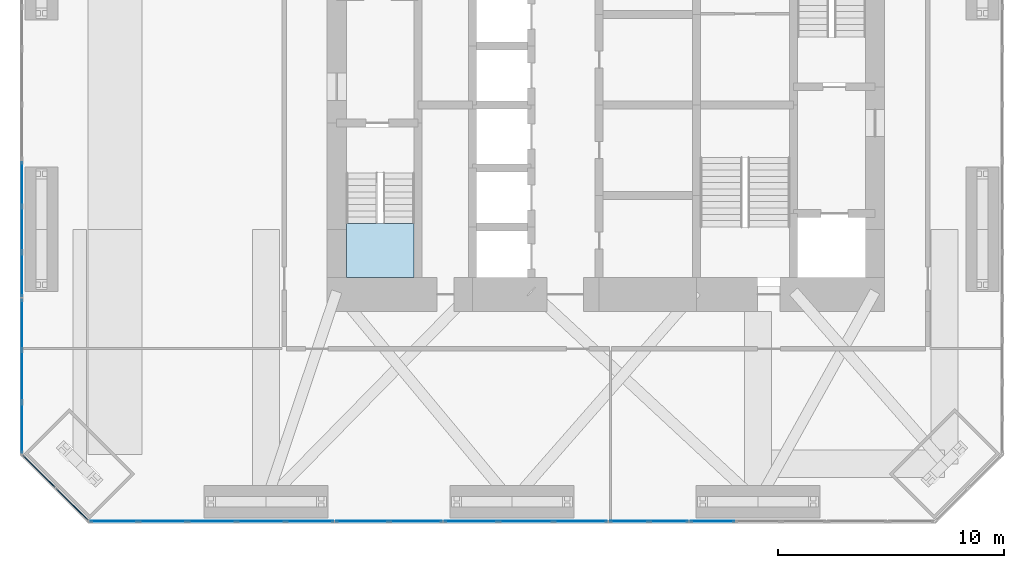
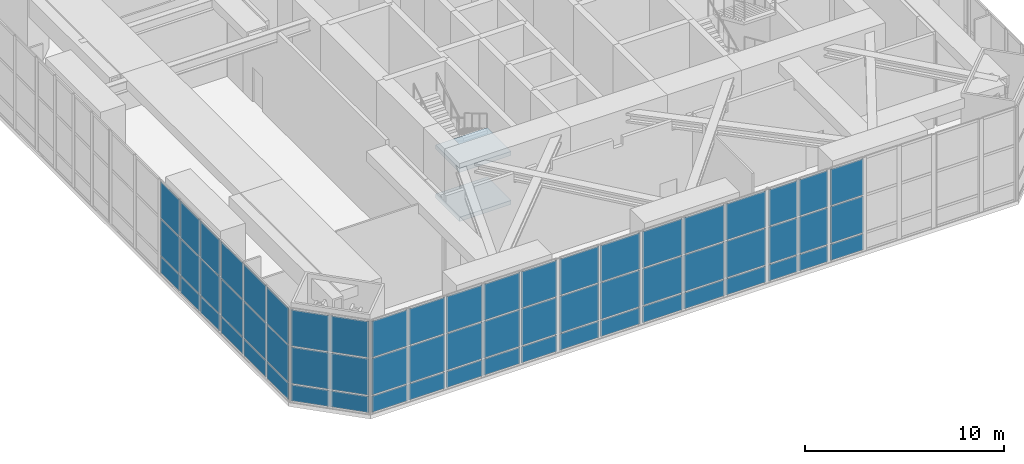
# One storey, part 10 of 18: 63 plates, 2 slabs, 9 elements without a shape of their own.
"""IFC4 building model written with IfcOpenShell, lengths in metres."""

import ifcopenshell
import ifcopenshell.guid

model = None  # the IFC model being written
_history = None  # IfcOwnerHistory: only IFC2X3 demands one
_inside = {}  # id of a spatial element -> (the spatial element, [elements in it])
_under = {}  # id of a project, library or spatial element -> (it, [spatial elements below it])
_declared = {}  # id of a project -> (the project, [libraries it declares])
_typed = {}  # id of a type object -> (the type object, [elements of that type])
_made_of = {}  # id of a material, layer set ... -> (it, [elements and type objects made of it])


def new_model(schema):
    """Start an empty IFC model of exactly this schema.

    Asked for "IFC4X3", IfcOpenShell would pick the latest addendum, in which some entities
    have other attributes; the version numbers below select the first issue.
    IFC2X3 requires an IfcOwnerHistory on every rooted entity: one is made here for all.
    """
    global model, _history
    if schema == "IFC4X3":
        model = ifcopenshell.file(schema_version=(4, 3, 0, 0))
    else:
        model = ifcopenshell.file(schema=schema)
    _inside.clear()
    _under.clear()
    _declared.clear()
    _typed.clear()
    _made_of.clear()
    _history = None
    if model.schema == "IFC2X3":
        org = make("IfcOrganization", Name="unknown")
        user = make(
            "IfcPersonAndOrganization",
            ThePerson=make("IfcPerson", FamilyName="unknown"),
            TheOrganization=org,
        )
        app = make(
            "IfcApplication",
            ApplicationDeveloper=org,
            Version="unknown",
            ApplicationFullName="unknown",
            ApplicationIdentifier="unknown",
        )
        _history = make(
            "IfcOwnerHistory",
            OwningUser=user,
            OwningApplication=app,
            ChangeAction="ADDED",
            CreationDate=0,
        )
    return model


def make(cls, **values):
    """One entity of the class cls with the attributes given. An attribute that is None is left unset."""
    return model.create_entity(
        cls, **{name: value for name, value in values.items() if value is not None}
    )


def rooted(cls, **values):
    """An entity with a GlobalId (a new one), such as an element, a storey or a relation."""
    return make(cls, GlobalId=ifcopenshell.guid.new(), OwnerHistory=_history, **values)


def si_unit(unit_type, name, prefix=None):
    """IfcSIUnit, for example si_unit("LENGTHUNIT", "METRE", prefix="MILLI")."""
    return make("IfcSIUnit", UnitType=unit_type, Prefix=prefix, Name=name)


def assignment(units):
    """IfcUnitAssignment: the units of a project."""
    return None if units is None else make("IfcUnitAssignment", Units=units)


def point(xyz):
    """IfcCartesianPoint."""
    return None if xyz is None else make("IfcCartesianPoint", Coordinates=xyz)


def direction(xyz):
    """IfcDirection."""
    return None if xyz is None else make("IfcDirection", DirectionRatios=xyz)


def frame(location, z_axis=None, x_axis=None):
    """IfcAxis2Placement3D, a coordinate frame: its origin and axes. An axis left out is left unset."""
    return make(
        "IfcAxis2Placement3D",
        Location=point(location),
        Axis=direction(z_axis),
        RefDirection=direction(x_axis),
    )


def frame_2d(location, x_axis=None):
    """IfcAxis2Placement2D, a coordinate frame in the plane: its origin and x axis."""
    return make(
        "IfcAxis2Placement2D", Location=point(location), RefDirection=direction(x_axis)
    )


def origin():
    """The frame at (0, 0, 0) with its axes left unset."""
    return frame((0.0, 0.0, 0.0))


def origin_2d():
    """The frame at (0, 0) in the plane with its x axis left unset."""
    return frame_2d((0.0, 0.0))


def place(relative_to, where):
    """IfcLocalPlacement: puts the frame where relative to a parent placement (None: the world)."""
    return make(
        "IfcLocalPlacement", PlacementRelTo=relative_to, RelativePlacement=where
    )


def context(
    kind, dimensions, precision=None, world=None, true_north=None, identifier=None
):
    """IfcGeometricRepresentationContext, for example the 3D "Model" context."""
    return make(
        "IfcGeometricRepresentationContext",
        ContextIdentifier=identifier,
        ContextType=kind,
        CoordinateSpaceDimension=dimensions,
        Precision=precision,
        WorldCoordinateSystem=world,
        TrueNorth=true_north,
    )


def subcontext(parent, identifier, kind, view, scale=None):
    """IfcGeometricRepresentationSubContext, for example "Body" below "Model"."""
    return make(
        "IfcGeometricRepresentationSubContext",
        ContextIdentifier=identifier,
        ContextType=kind,
        ParentContext=parent,
        TargetScale=scale,
        TargetView=view,
    )


def project(units=None, contexts=None):
    """IfcProject with its units and contexts."""
    return rooted(
        "IfcProject",
        Name="project",
        RepresentationContexts=contexts,
        UnitsInContext=assignment(units),
    )


def spatial(cls, under=None, at=None, **own):
    """A site, building, storey or space (cls), placed at a placement, below another one or the project."""
    s = rooted(cls, ObjectPlacement=at, **own)
    if under is not None:
        _under.setdefault(under.id(), (under, []))[1].append(s)
    return s


def polyline(points):
    """IfcPolyline through the points."""
    return make("IfcPolyline", Points=[point(p) for p in points])


def profile(cls, at=None, kind="AREA", **sizes):
    """A parametric profile (cls). Its sizes go by their IFC names, for example OverallWidth=200.0."""
    return make(cls, ProfileType=kind, Position=at, **sizes)


def rectangle(**sizes):
    """IfcRectangleProfileDef."""
    return profile("IfcRectangleProfileDef", **sizes)


def outline(outer, holes=None, kind="AREA"):
    """IfcArbitraryClosedProfileDef: a profile drawn as a closed curve; with holes, ...WithVoids."""
    if holes is None:
        return make("IfcArbitraryClosedProfileDef", ProfileType=kind, OuterCurve=outer)
    return make(
        "IfcArbitraryProfileDefWithVoids",
        ProfileType=kind,
        OuterCurve=outer,
        InnerCurves=holes,
    )


def extrude(swept, where, along, depth):
    """IfcExtrudedAreaSolid: the profile swept, set in the frame where, extruded along a direction by depth."""
    return make(
        "IfcExtrudedAreaSolid",
        SweptArea=swept,
        Position=where,
        ExtrudedDirection=direction(along),
        Depth=depth,
    )


def shape(context_of_items, identifier, shape_type, items):
    """IfcShapeRepresentation: the items that make up one representation, for example the "Body"."""
    return make(
        "IfcShapeRepresentation",
        ContextOfItems=context_of_items,
        RepresentationIdentifier=identifier,
        RepresentationType=shape_type,
        Items=items,
    )


def material(Name=None, Category=None):
    """IfcMaterial."""
    return make("IfcMaterial", Name=Name, Category=Category)


def layer(
    of_material, thickness, ventilated=None, Name=None, Category=None, Priority=None
):
    """IfcMaterialLayer: one layer of a wall or slab, of a material (None: an air gap)."""
    return make(
        "IfcMaterialLayer",
        Material=of_material,
        LayerThickness=thickness,
        IsVentilated=ventilated,
        Name=Name,
        Category=Category,
        Priority=Priority,
    )


def layer_set(layers, Name=None):
    """IfcMaterialLayerSet."""
    return make("IfcMaterialLayerSet", MaterialLayers=layers, LayerSetName=Name)


def made_of(thing, what):
    """Note that an element or type object is made of a material, layer set ...; save() writes the relation."""
    if what is not None:
        _made_of.setdefault(what.id(), (what, []))[1].append(thing)
    return thing


def type_object(cls, material=None, **own):
    """A type object (cls), such as IfcWallType, which elements share."""
    return made_of(rooted(cls, **own), material)


def element(
    cls,
    number,
    at=None,
    inside=None,
    cuts=None,
    type_object=None,
    material=None,
    context=None,
    identifier="Body",
    shape_type=None,
    held_by="IfcProductDefinitionShape",
    body=None,
    shapes=None,
    **own,
):
    """One element of the class cls, such as IfcWall. Its Tag is "e" and its number.

    at: its placement. inside: the storey or other place that contains it. cuts: it is an
    opening in that element (IfcRelVoidsElement). A single representation is given by context,
    identifier, shape_type and body (its items); several are given by shapes. held_by: the class
    of the entity that holds the representations. save() writes the other relations.
    """
    e = rooted(cls, Tag="e%d" % number, ObjectPlacement=at, **own)
    if body is not None:
        shapes = [shape(context, identifier, shape_type, body)]
    if shapes is not None:
        e.Representation = make(held_by, Representations=shapes)
    if inside is not None:
        _inside.setdefault(inside.id(), (inside, []))[1].append(e)
    if cuts is not None:
        rooted(
            "IfcRelVoidsElement", RelatingBuildingElement=cuts, RelatedOpeningElement=e
        )
    if type_object is not None:
        _typed.setdefault(type_object.id(), (type_object, []))[1].append(e)
    return made_of(e, material)


def aggregate(whole, parts):
    """IfcRelAggregates: a whole, such as a stair, and the parts it consists of."""
    return rooted("IfcRelAggregates", RelatingObject=whole, RelatedObjects=parts)


def save(model, path):
    """Write the relations noted so far, then the file.

    IfcRelAggregates (storeys below a building ...), IfcRelContainedInSpatialStructure (elements
    in a storey), IfcRelDefinesByType, IfcRelAssociatesMaterial and IfcRelDeclares: one each for
    every whole, place, type object, material and project.
    """
    for whole, parts in _under.values():
        aggregate(whole, parts)
    for where, things in _inside.values():
        rooted(
            "IfcRelContainedInSpatialStructure",
            RelatedElements=things,
            RelatingStructure=where,
        )
    for kind, things in _typed.values():
        rooted("IfcRelDefinesByType", RelatedObjects=things, RelatingType=kind)
    for what, things in _made_of.values():
        rooted("IfcRelAssociatesMaterial", RelatedObjects=things, RelatingMaterial=what)
    for by, libraries in _declared.values():
        rooted("IfcRelDeclares", RelatingContext=by, RelatedDefinitions=libraries)
    model.write(path)


model = new_model("IFC4")

# Units and contexts
model_context = context("Model", 3, precision=1e-05, world=origin(), true_north=direction((0.0, 1.0)))
body_context = subcontext(model_context, "Body", "Model", "MODEL_VIEW")
ifc_project = project(units=[si_unit("LENGTHUNIT", "METRE"), si_unit("AREAUNIT", "SQUARE_METRE"), si_unit("VOLUMEUNIT", "CUBIC_METRE"), si_unit("PLANEANGLEUNIT", "RADIAN"), si_unit("MASSUNIT", "GRAM", prefix="KILO")], contexts=[model_context])

# Site, building, storey
site_placement = place(None, origin())
site = spatial("IfcSite", under=ifc_project, at=site_placement, CompositionType="ELEMENT")
building_placement = place(site_placement, origin())
building = spatial("IfcBuilding", under=site, at=building_placement, Name="Jalousie Tower", CompositionType="ELEMENT")
storey_placement = place(building_placement, frame((0.0, 0.0, 138.35009765625)))
storey = spatial("IfcBuildingStorey", under=building, at=storey_placement, Name="L38", CompositionType="ELEMENT", Elevation=138.35009765625)

# Curtain wall, plates
ifc_material_1 = material(Name="Aluminium curtain wall", Category="aluminium")
curtain_wall_type_1 = type_object("IfcCurtainWallType", Name="SKY LOUNGE SPANDREL WALL", PredefinedType="USERDEFINED", material=ifc_material_1)
curtain_wall_1_placement = place(storey_placement, origin())
curtain_wall_1 = element("IfcCurtainWall", 1, at=curtain_wall_1_placement, inside=storey, type_object=curtain_wall_type_1, Name="Sky Lounge Spandrel Wall L38 1", ObjectType="SKY LOUNGE SPANDREL WALL", PredefinedType="USERDEFINED")
ifc_material_2 = material(Name="Laminated impact-rated spandrel glass", Category="glass")
ifc_layer_1 = layer(ifc_material_2, 0.035888671875)
ifc_layer_set_1 = layer_set([ifc_layer_1], Name="Laminated impact-rated spandrel glass")
plate_type_1 = type_object("IfcPlateType", Name="SKY LOUNGE SPANDREL WALL PANEL", PredefinedType="CURTAIN_PANEL", material=ifc_layer_set_1)
plate_1_placement = place(storey_placement, frame((10.15625, 0.08740234375, 0.07470703125), z_axis=(0.0, 0.0, 1.0), x_axis=(1.0, 0.0, 0.0)))
plate_1 = element("IfcPlate", 2, at=plate_1_placement, type_object=plate_type_1, Name="CW-KS panel 1.1", PredefinedType="CURTAIN_PANEL", context=body_context, shape_type="SweptSolid", body=[
    extrude(rectangle(XDim=2.06005859375, YDim=0.035888671875, at=origin_2d()), origin(), (0.0, 0.0, 1.0), 0.987548828125),
])
plate_2_placement = place(storey_placement, frame((10.15625, 0.08740234375, 1.137451171875), z_axis=(0.0, 0.0, 1.0), x_axis=(1.0, 0.0, 0.0)))
plate_2 = element("IfcPlate", 3, at=plate_2_placement, type_object=plate_type_1, Name="CW-KS panel 1.2", PredefinedType="CURTAIN_PANEL", context=body_context, shape_type="SweptSolid", body=[
    extrude(rectangle(XDim=2.06005859375, YDim=0.035888671875, at=origin_2d()), origin(), (0.0, 0.0, 1.0), 2.22509765625),
])
plate_3_placement = place(storey_placement, frame((10.15625, 0.08740234375, 3.4375), z_axis=(0.0, 0.0, 1.0), x_axis=(1.0, 0.0, 0.0)))
plate_3 = element("IfcPlate", 4, at=plate_3_placement, type_object=plate_type_1, Name="CW-KS panel 1.3", PredefinedType="CURTAIN_PANEL", context=body_context, shape_type="SweptSolid", body=[
    extrude(rectangle(XDim=2.06005859375, YDim=0.035888671875, at=origin_2d()), origin(), (0.0, 0.0, 1.0), 2.20751953125),
])
plate_4_placement = place(storey_placement, frame((12.310302734375, 0.08740234375, 0.07470703125), z_axis=(0.0, 0.0, 1.0), x_axis=(1.0, 0.0, 0.0)))
plate_4 = element("IfcPlate", 5, at=plate_4_placement, type_object=plate_type_1, Name="CW-KS panel 2.1", PredefinedType="CURTAIN_PANEL", context=body_context, shape_type="SweptSolid", body=[
    extrude(rectangle(XDim=2.09765625, YDim=0.035888671875, at=origin_2d()), origin(), (0.0, 0.0, 1.0), 0.987548828125),
])
plate_5_placement = place(storey_placement, frame((12.310302734375, 0.08740234375, 1.137451171875), z_axis=(0.0, 0.0, 1.0), x_axis=(1.0, 0.0, 0.0)))
plate_5 = element("IfcPlate", 6, at=plate_5_placement, type_object=plate_type_1, Name="CW-KS panel 2.2", PredefinedType="CURTAIN_PANEL", context=body_context, shape_type="SweptSolid", body=[
    extrude(rectangle(XDim=2.09765625, YDim=0.035888671875, at=origin_2d()), origin(), (0.0, 0.0, 1.0), 2.22509765625),
])
plate_6_placement = place(storey_placement, frame((12.310302734375, 0.08740234375, 3.4375), z_axis=(0.0, 0.0, 1.0), x_axis=(1.0, 0.0, 0.0)))
plate_6 = element("IfcPlate", 7, at=plate_6_placement, type_object=plate_type_1, Name="CW-KS panel 2.3", PredefinedType="CURTAIN_PANEL", context=body_context, shape_type="SweptSolid", body=[
    extrude(rectangle(XDim=2.09765625, YDim=0.035888671875, at=origin_2d()), origin(), (0.0, 0.0, 1.0), 2.20751953125),
])
plate_7_placement = place(storey_placement, frame((14.48291015625, 0.08740234375, 0.07470703125), z_axis=(0.0, 0.0, 1.0), x_axis=(1.0, 0.0, 0.0)))
plate_7 = element("IfcPlate", 8, at=plate_7_placement, type_object=plate_type_1, Name="CW-KS panel 3.1", PredefinedType="CURTAIN_PANEL", context=body_context, shape_type="SweptSolid", body=[
    extrude(rectangle(XDim=2.09765625, YDim=0.035888671875, at=origin_2d()), origin(), (0.0, 0.0, 1.0), 0.987548828125),
])
plate_8_placement = place(storey_placement, frame((14.48291015625, 0.08740234375, 1.137451171875), z_axis=(0.0, 0.0, 1.0), x_axis=(1.0, 0.0, 0.0)))
plate_8 = element("IfcPlate", 9, at=plate_8_placement, type_object=plate_type_1, Name="CW-KS panel 3.2", PredefinedType="CURTAIN_PANEL", context=body_context, shape_type="SweptSolid", body=[
    extrude(rectangle(XDim=2.09765625, YDim=0.035888671875, at=origin_2d()), origin(), (0.0, 0.0, 1.0), 2.22509765625),
])
plate_9_placement = place(storey_placement, frame((14.48291015625, 0.08740234375, 3.4375), z_axis=(0.0, 0.0, 1.0), x_axis=(1.0, 0.0, 0.0)))
plate_9 = element("IfcPlate", 10, at=plate_9_placement, type_object=plate_type_1, Name="CW-KS panel 3.3", PredefinedType="CURTAIN_PANEL", context=body_context, shape_type="SweptSolid", body=[
    extrude(rectangle(XDim=2.09765625, YDim=0.035888671875, at=origin_2d()), origin(), (0.0, 0.0, 1.0), 2.20751953125),
])
plate_10_placement = place(storey_placement, frame((16.655517578125, 0.08740234375, 0.07470703125), z_axis=(0.0, 0.0, 1.0), x_axis=(1.0, 0.0, 0.0)))
plate_10 = element("IfcPlate", 11, at=plate_10_placement, type_object=plate_type_1, Name="CW-KS panel 4.1", PredefinedType="CURTAIN_PANEL", context=body_context, shape_type="SweptSolid", body=[
    extrude(rectangle(XDim=2.09765625, YDim=0.035888671875, at=origin_2d()), origin(), (0.0, 0.0, 1.0), 0.987548828125),
])
plate_11_placement = place(storey_placement, frame((16.655517578125, 0.08740234375, 1.137451171875), z_axis=(0.0, 0.0, 1.0), x_axis=(1.0, 0.0, 0.0)))
plate_11 = element("IfcPlate", 12, at=plate_11_placement, type_object=plate_type_1, Name="CW-KS panel 4.2", PredefinedType="CURTAIN_PANEL", context=body_context, shape_type="SweptSolid", body=[
    extrude(rectangle(XDim=2.09765625, YDim=0.035888671875, at=origin_2d()), origin(), (0.0, 0.0, 1.0), 2.22509765625),
])
plate_12_placement = place(storey_placement, frame((16.655517578125, 0.08740234375, 3.4375), z_axis=(0.0, 0.0, 1.0), x_axis=(1.0, 0.0, 0.0)))
plate_12 = element("IfcPlate", 13, at=plate_12_placement, type_object=plate_type_1, Name="CW-KS panel 4.3", PredefinedType="CURTAIN_PANEL", context=body_context, shape_type="SweptSolid", body=[
    extrude(rectangle(XDim=2.09765625, YDim=0.035888671875, at=origin_2d()), origin(), (0.0, 0.0, 1.0), 2.20751953125),
])
plate_13_placement = place(storey_placement, frame((18.809326171875, 0.08740234375, 0.07470703125), z_axis=(0.0, 0.0, 1.0), x_axis=(1.0, 0.0, 0.0)))
plate_13 = element("IfcPlate", 14, at=plate_13_placement, type_object=plate_type_1, Name="CW-KS panel 5.1", PredefinedType="CURTAIN_PANEL", context=body_context, shape_type="SweptSolid", body=[
    extrude(rectangle(XDim=2.06005859375, YDim=0.035888671875, at=origin_2d()), origin(), (0.0, 0.0, 1.0), 0.987548828125),
])
plate_14_placement = place(storey_placement, frame((18.809326171875, 0.08740234375, 1.137451171875), z_axis=(0.0, 0.0, 1.0), x_axis=(1.0, 0.0, 0.0)))
plate_14 = element("IfcPlate", 15, at=plate_14_placement, type_object=plate_type_1, Name="CW-KS panel 5.2", PredefinedType="CURTAIN_PANEL", context=body_context, shape_type="SweptSolid", body=[
    extrude(rectangle(XDim=2.06005859375, YDim=0.035888671875, at=origin_2d()), origin(), (0.0, 0.0, 1.0), 2.22509765625),
])
plate_15_placement = place(storey_placement, frame((18.809326171875, 0.08740234375, 3.4375), z_axis=(0.0, 0.0, 1.0), x_axis=(1.0, 0.0, 0.0)))
plate_15 = element("IfcPlate", 16, at=plate_15_placement, type_object=plate_type_1, Name="CW-KS panel 5.3", PredefinedType="CURTAIN_PANEL", context=body_context, shape_type="SweptSolid", body=[
    extrude(rectangle(XDim=2.06005859375, YDim=0.035888671875, at=origin_2d()), origin(), (0.0, 0.0, 1.0), 2.20751953125),
])
aggregate(curtain_wall_1, [plate_1, plate_2, plate_3, plate_4, plate_5, plate_6, plate_7, plate_8, plate_9, plate_10, plate_11, plate_12, plate_13, plate_14, plate_15])

curtain_wall_2_placement = place(storey_placement, origin())
curtain_wall_2 = element("IfcCurtainWall", 17, at=curtain_wall_2_placement, inside=storey, type_object=curtain_wall_type_1, Name="Sky Lounge Spandrel Wall L38 3", ObjectType="SKY LOUNGE SPANDREL WALL", PredefinedType="USERDEFINED")
plate_16_placement = place(storey_placement, frame((25.946533203125, 0.08740234375, 0.07470703125), z_axis=(0.0, 0.0, 1.0), x_axis=(1.0, 0.0, 0.0)))
plate_16 = element("IfcPlate", 18, at=plate_16_placement, type_object=plate_type_1, Name="CW-KS panel 1.1", PredefinedType="CURTAIN_PANEL", context=body_context, shape_type="SweptSolid", body=[
    extrude(rectangle(XDim=2.322021484375, YDim=0.035888671875, at=origin_2d()), origin(), (0.0, 0.0, 1.0), 0.987548828125),
])
plate_17_placement = place(storey_placement, frame((25.946533203125, 0.08740234375, 1.137451171875), z_axis=(0.0, 0.0, 1.0), x_axis=(1.0, 0.0, 0.0)))
plate_17 = element("IfcPlate", 19, at=plate_17_placement, type_object=plate_type_1, Name="CW-KS panel 1.2", PredefinedType="CURTAIN_PANEL", context=body_context, shape_type="SweptSolid", body=[
    extrude(rectangle(XDim=2.322021484375, YDim=0.035888671875, at=origin_2d()), origin(), (0.0, 0.0, 1.0), 2.22509765625),
])
plate_18_placement = place(storey_placement, frame((25.946533203125, 0.08740234375, 3.4375), z_axis=(0.0, 0.0, 1.0), x_axis=(1.0, 0.0, 0.0)))
plate_18 = element("IfcPlate", 20, at=plate_18_placement, type_object=plate_type_1, Name="CW-KS panel 1.3", PredefinedType="CURTAIN_PANEL", context=body_context, shape_type="SweptSolid", body=[
    extrude(rectangle(XDim=2.322021484375, YDim=0.035888671875, at=origin_2d()), origin(), (0.0, 0.0, 1.0), 2.20751953125),
])
plate_19_placement = place(storey_placement, frame((28.362060546875, 0.08740234375, 0.07470703125), z_axis=(0.0, 0.0, 1.0), x_axis=(1.0, 0.0, 0.0)))
plate_19 = element("IfcPlate", 21, at=plate_19_placement, type_object=plate_type_1, Name="CW-KS panel 2.1", PredefinedType="CURTAIN_PANEL", context=body_context, shape_type="SweptSolid", body=[
    extrude(rectangle(XDim=2.359375, YDim=0.035888671875, at=origin_2d()), origin(), (0.0, 0.0, 1.0), 0.987548828125),
])
plate_20_placement = place(storey_placement, frame((28.362060546875, 0.08740234375, 1.137451171875), z_axis=(0.0, 0.0, 1.0), x_axis=(1.0, 0.0, 0.0)))
plate_20 = element("IfcPlate", 22, at=plate_20_placement, type_object=plate_type_1, Name="CW-KS panel 2.2", PredefinedType="CURTAIN_PANEL", context=body_context, shape_type="SweptSolid", body=[
    extrude(rectangle(XDim=2.359375, YDim=0.035888671875, at=origin_2d()), origin(), (0.0, 0.0, 1.0), 2.22509765625),
])
plate_21_placement = place(storey_placement, frame((28.362060546875, 0.08740234375, 3.4375), z_axis=(0.0, 0.0, 1.0), x_axis=(1.0, 0.0, 0.0)))
plate_21 = element("IfcPlate", 23, at=plate_21_placement, type_object=plate_type_1, Name="CW-KS panel 2.3", PredefinedType="CURTAIN_PANEL", context=body_context, shape_type="SweptSolid", body=[
    extrude(rectangle(XDim=2.359375, YDim=0.035888671875, at=origin_2d()), origin(), (0.0, 0.0, 1.0), 2.20751953125),
])
plate_22_placement = place(storey_placement, frame((30.77783203125, 0.08740234375, 0.07470703125), z_axis=(0.0, 0.0, 1.0), x_axis=(1.0, 0.0, 0.0)))
plate_22 = element("IfcPlate", 24, at=plate_22_placement, type_object=plate_type_1, Name="CW-KS panel 3.1", PredefinedType="CURTAIN_PANEL", context=body_context, shape_type="SweptSolid", body=[
    extrude(rectangle(XDim=2.322021484375, YDim=0.035888671875, at=origin_2d()), origin(), (0.0, 0.0, 1.0), 0.987548828125),
])
plate_23_placement = place(storey_placement, frame((30.77783203125, 0.08740234375, 1.137451171875), z_axis=(0.0, 0.0, 1.0), x_axis=(1.0, 0.0, 0.0)))
plate_23 = element("IfcPlate", 25, at=plate_23_placement, type_object=plate_type_1, Name="CW-KS panel 3.2", PredefinedType="CURTAIN_PANEL", context=body_context, shape_type="SweptSolid", body=[
    extrude(rectangle(XDim=2.322021484375, YDim=0.035888671875, at=origin_2d()), origin(), (0.0, 0.0, 1.0), 2.22509765625),
])
plate_24_placement = place(storey_placement, frame((30.77783203125, 0.08740234375, 3.4375), z_axis=(0.0, 0.0, 1.0), x_axis=(1.0, 0.0, 0.0)))
plate_24 = element("IfcPlate", 26, at=plate_24_placement, type_object=plate_type_1, Name="CW-KS panel 3.3", PredefinedType="CURTAIN_PANEL", context=body_context, shape_type="SweptSolid", body=[
    extrude(rectangle(XDim=2.322021484375, YDim=0.035888671875, at=origin_2d()), origin(), (0.0, 0.0, 1.0), 2.20751953125),
])
aggregate(curtain_wall_2, [plate_16, plate_17, plate_18, plate_19, plate_20, plate_21, plate_22, plate_23, plate_24])

curtain_wall_3_placement = place(storey_placement, origin())
curtain_wall_3 = element("IfcCurtainWall", 27, at=curtain_wall_3_placement, inside=storey, type_object=curtain_wall_type_1, Name="Sky Lounge Spandrel Wall L38 5", ObjectType="SKY LOUNGE SPANDREL WALL", PredefinedType="USERDEFINED")
plate_25_placement = place(storey_placement, frame((36.617431640625, 0.08740234375, 0.07470703125), z_axis=(0.0, 0.0, 1.0), x_axis=(1.0, 0.0, 0.0)))
plate_25 = element("IfcPlate", 28, at=plate_25_placement, type_object=plate_type_1, Name="CW-KS panel 1.1", PredefinedType="CURTAIN_PANEL", context=body_context, shape_type="SweptSolid", body=[
    extrude(rectangle(XDim=1.913818359375, YDim=0.035888671875, at=origin_2d()), origin(), (0.0, 0.0, 1.0), 0.987548828125),
])
plate_26_placement = place(storey_placement, frame((36.617431640625, 0.08740234375, 1.137451171875), z_axis=(0.0, 0.0, 1.0), x_axis=(1.0, 0.0, 0.0)))
plate_26 = element("IfcPlate", 29, at=plate_26_placement, type_object=plate_type_1, Name="CW-KS panel 1.2", PredefinedType="CURTAIN_PANEL", context=body_context, shape_type="SweptSolid", body=[
    extrude(rectangle(XDim=1.913818359375, YDim=0.035888671875, at=origin_2d()), origin(), (0.0, 0.0, 1.0), 2.22509765625),
])
plate_27_placement = place(storey_placement, frame((36.617431640625, 0.08740234375, 3.4375), z_axis=(0.0, 0.0, 1.0), x_axis=(1.0, 0.0, 0.0)))
plate_27 = element("IfcPlate", 30, at=plate_27_placement, type_object=plate_type_1, Name="CW-KS panel 1.3", PredefinedType="CURTAIN_PANEL", context=body_context, shape_type="SweptSolid", body=[
    extrude(rectangle(XDim=1.913818359375, YDim=0.035888671875, at=origin_2d()), origin(), (0.0, 0.0, 1.0), 2.20751953125),
])
aggregate(curtain_wall_3, [plate_25, plate_26, plate_27])

curtain_wall_4_placement = place(storey_placement, origin())
curtain_wall_4 = element("IfcCurtainWall", 31, at=curtain_wall_4_placement, inside=storey, type_object=curtain_wall_type_1, Name="Sky Lounge Spandrel Wall L38 64", ObjectType="SKY LOUNGE SPANDREL WALL", PredefinedType="USERDEFINED")
plate_28_placement = place(storey_placement, frame((6.08740234375, 15.007568359375, 0.07470703125), z_axis=(0.0, 0.0, 1.0), x_axis=(0.0, -1.0, 0.0)))
plate_28 = element("IfcPlate", 32, at=plate_28_placement, type_object=plate_type_1, Name="CW-KS panel 1.1", PredefinedType="CURTAIN_PANEL", context=body_context, shape_type="SweptSolid", body=[
    extrude(rectangle(XDim=1.913818359375, YDim=0.035888671875, at=origin_2d()), origin(), (0.0, 0.0, 1.0), 0.987548828125),
])
plate_29_placement = place(storey_placement, frame((6.08740234375, 15.007568359375, 1.137451171875), z_axis=(0.0, 0.0, 1.0), x_axis=(0.0, -1.0, 0.0)))
plate_29 = element("IfcPlate", 33, at=plate_29_placement, type_object=plate_type_1, Name="CW-KS panel 1.2", PredefinedType="CURTAIN_PANEL", context=body_context, shape_type="SweptSolid", body=[
    extrude(rectangle(XDim=1.913818359375, YDim=0.035888671875, at=origin_2d()), origin(), (0.0, 0.0, 1.0), 2.22509765625),
])
plate_30_placement = place(storey_placement, frame((6.08740234375, 15.007568359375, 3.4375), z_axis=(0.0, 0.0, 1.0), x_axis=(0.0, -1.0, 0.0)))
plate_30 = element("IfcPlate", 34, at=plate_30_placement, type_object=plate_type_1, Name="CW-KS panel 1.3", PredefinedType="CURTAIN_PANEL", context=body_context, shape_type="SweptSolid", body=[
    extrude(rectangle(XDim=1.913818359375, YDim=0.035888671875, at=origin_2d()), origin(), (0.0, 0.0, 1.0), 2.20751953125),
])
plate_31_placement = place(storey_placement, frame((6.08740234375, 13.0, 0.07470703125), z_axis=(0.0, 0.0, 1.0), x_axis=(0.0, -1.0, 0.0)))
plate_31 = element("IfcPlate", 35, at=plate_31_placement, type_object=plate_type_1, Name="CW-KS panel 2.1", PredefinedType="CURTAIN_PANEL", context=body_context, shape_type="SweptSolid", body=[
    extrude(rectangle(XDim=1.951416015625, YDim=0.035888671875, at=origin_2d()), origin(), (0.0, 0.0, 1.0), 0.987548828125),
])
plate_32_placement = place(storey_placement, frame((6.08740234375, 13.0, 1.137451171875), z_axis=(0.0, 0.0, 1.0), x_axis=(0.0, -1.0, 0.0)))
plate_32 = element("IfcPlate", 36, at=plate_32_placement, type_object=plate_type_1, Name="CW-KS panel 2.2", PredefinedType="CURTAIN_PANEL", context=body_context, shape_type="SweptSolid", body=[
    extrude(rectangle(XDim=1.951416015625, YDim=0.035888671875, at=origin_2d()), origin(), (0.0, 0.0, 1.0), 2.22509765625),
])
plate_33_placement = place(storey_placement, frame((6.08740234375, 13.0, 3.4375), z_axis=(0.0, 0.0, 1.0), x_axis=(0.0, -1.0, 0.0)))
plate_33 = element("IfcPlate", 37, at=plate_33_placement, type_object=plate_type_1, Name="CW-KS panel 2.3", PredefinedType="CURTAIN_PANEL", context=body_context, shape_type="SweptSolid", body=[
    extrude(rectangle(XDim=1.951416015625, YDim=0.035888671875, at=origin_2d()), origin(), (0.0, 0.0, 1.0), 2.20751953125),
])
plate_34_placement = place(storey_placement, frame((6.08740234375, 10.992431640625, 0.07470703125), z_axis=(0.0, 0.0, 1.0), x_axis=(0.0, -1.0, 0.0)))
plate_34 = element("IfcPlate", 38, at=plate_34_placement, type_object=plate_type_1, Name="CW-KS panel 3.1", PredefinedType="CURTAIN_PANEL", context=body_context, shape_type="SweptSolid", body=[
    extrude(rectangle(XDim=1.913818359375, YDim=0.035888671875, at=origin_2d()), origin(), (0.0, 0.0, 1.0), 0.987548828125),
])
plate_35_placement = place(storey_placement, frame((6.08740234375, 10.992431640625, 1.137451171875), z_axis=(0.0, 0.0, 1.0), x_axis=(0.0, -1.0, 0.0)))
plate_35 = element("IfcPlate", 39, at=plate_35_placement, type_object=plate_type_1, Name="CW-KS panel 3.2", PredefinedType="CURTAIN_PANEL", context=body_context, shape_type="SweptSolid", body=[
    extrude(rectangle(XDim=1.913818359375, YDim=0.035888671875, at=origin_2d()), origin(), (0.0, 0.0, 1.0), 2.22509765625),
])
plate_36_placement = place(storey_placement, frame((6.08740234375, 10.992431640625, 3.4375), z_axis=(0.0, 0.0, 1.0), x_axis=(0.0, -1.0, 0.0)))
plate_36 = element("IfcPlate", 40, at=plate_36_placement, type_object=plate_type_1, Name="CW-KS panel 3.3", PredefinedType="CURTAIN_PANEL", context=body_context, shape_type="SweptSolid", body=[
    extrude(rectangle(XDim=1.913818359375, YDim=0.035888671875, at=origin_2d()), origin(), (0.0, 0.0, 1.0), 2.20751953125),
])
aggregate(curtain_wall_4, [plate_28, plate_29, plate_30, plate_31, plate_32, plate_33, plate_34, plate_35, plate_36])

curtain_wall_5_placement = place(storey_placement, origin())
curtain_wall_5 = element("IfcCurtainWall", 41, at=curtain_wall_5_placement, inside=storey, type_object=curtain_wall_type_1, Name="Sky Lounge Spandrel Wall L38 8", ObjectType="SKY LOUNGE SPANDREL WALL", PredefinedType="USERDEFINED")
plate_37_placement = place(storey_placement, frame((6.841796875, 2.297119140625, 0.07470703125), z_axis=(0.0, 0.0, 1.0), x_axis=(0.707106781187, -0.707106781187, 0.0)))
plate_37 = element("IfcPlate", 42, at=plate_37_placement, type_object=plate_type_1, Name="CW-KS panel 1.1", PredefinedType="CURTAIN_PANEL", context=body_context, shape_type="SweptSolid", body=[
    extrude(rectangle(XDim=1.983154296875, YDim=0.035888671875, at=origin_2d()), origin(), (0.0, 0.0, 1.0), 0.987548828125),
])
plate_38_placement = place(storey_placement, frame((6.841796875, 2.297119140625, 1.137451171875), z_axis=(0.0, 0.0, 1.0), x_axis=(0.707106781187, -0.707106781187, 0.0)))
plate_38 = element("IfcPlate", 43, at=plate_38_placement, type_object=plate_type_1, Name="CW-KS panel 1.2", PredefinedType="CURTAIN_PANEL", context=body_context, shape_type="SweptSolid", body=[
    extrude(rectangle(XDim=1.983154296875, YDim=0.035888671875, at=origin_2d()), origin(), (0.0, 0.0, 1.0), 2.22509765625),
])
plate_39_placement = place(storey_placement, frame((6.841796875, 2.297119140625, 3.4375), z_axis=(0.0, 0.0, 1.0), x_axis=(0.707106781187, -0.707106781187, 0.0)))
plate_39 = element("IfcPlate", 44, at=plate_39_placement, type_object=plate_type_1, Name="CW-KS panel 1.3", PredefinedType="CURTAIN_PANEL", context=body_context, shape_type="SweptSolid", body=[
    extrude(rectangle(XDim=1.983154296875, YDim=0.035888671875, at=origin_2d()), origin(), (0.0, 0.0, 1.0), 2.20751953125),
])
plate_40_placement = place(storey_placement, frame((8.297119140625, 0.841796875, 0.07470703125), z_axis=(0.0, 0.0, 1.0), x_axis=(0.707106781187, -0.707106781187, 0.0)))
plate_40 = element("IfcPlate", 45, at=plate_40_placement, type_object=plate_type_1, Name="CW-KS panel 2.1", PredefinedType="CURTAIN_PANEL", context=body_context, shape_type="SweptSolid", body=[
    extrude(rectangle(XDim=1.983154296875, YDim=0.035888671875, at=origin_2d()), origin(), (0.0, 0.0, 1.0), 0.987548828125),
])
plate_41_placement = place(storey_placement, frame((8.297119140625, 0.841796875, 1.137451171875), z_axis=(0.0, 0.0, 1.0), x_axis=(0.707106781187, -0.707106781187, 0.0)))
plate_41 = element("IfcPlate", 46, at=plate_41_placement, type_object=plate_type_1, Name="CW-KS panel 2.2", PredefinedType="CURTAIN_PANEL", context=body_context, shape_type="SweptSolid", body=[
    extrude(rectangle(XDim=1.983154296875, YDim=0.035888671875, at=origin_2d()), origin(), (0.0, 0.0, 1.0), 2.22509765625),
])
plate_42_placement = place(storey_placement, frame((8.297119140625, 0.841796875, 3.4375), z_axis=(0.0, 0.0, 1.0), x_axis=(0.707106781187, -0.707106781187, 0.0)))
plate_42 = element("IfcPlate", 47, at=plate_42_placement, type_object=plate_type_1, Name="CW-KS panel 2.3", PredefinedType="CURTAIN_PANEL", context=body_context, shape_type="SweptSolid", body=[
    extrude(rectangle(XDim=1.983154296875, YDim=0.035888671875, at=origin_2d()), origin(), (0.0, 0.0, 1.0), 2.20751953125),
])
aggregate(curtain_wall_5, [plate_37, plate_38, plate_39, plate_40, plate_41, plate_42])

ifc_material_3 = material(Name="Aluminium curtain wall", Category="aluminium")
curtain_wall_type_2 = type_object("IfcCurtainWallType", Name="SKY LOUNGE WINDOW WALL", PredefinedType="USERDEFINED", material=ifc_material_3)
curtain_wall_6_placement = place(storey_placement, origin())
curtain_wall_6 = element("IfcCurtainWall", 48, at=curtain_wall_6_placement, inside=storey, type_object=curtain_wall_type_2, Name="Sky Lounge Window Wall L38 2", ObjectType="SKY LOUNGE WINDOW WALL", PredefinedType="USERDEFINED")
ifc_material_4 = material(Name="Laminated impact-rated glass", Category="glass")
ifc_layer_2 = layer(ifc_material_4, 0.035888671875)
ifc_layer_set_2 = layer_set([ifc_layer_2], Name="Laminated impact-rated glass")
plate_type_2 = type_object("IfcPlateType", Name="SKY LOUNGE WINDOW WALL PANEL", PredefinedType="CURTAIN_PANEL", material=ifc_layer_set_2)
plate_43_placement = place(storey_placement, frame((21.13232421875, 0.08740234375, 0.07470703125), z_axis=(0.0, 0.0, 1.0), x_axis=(1.0, 0.0, 0.0)))
plate_43 = element("IfcPlate", 49, at=plate_43_placement, type_object=plate_type_2, Name="CW-K panel 1.1", PredefinedType="CURTAIN_PANEL", context=body_context, shape_type="SweptSolid", body=[
    extrude(rectangle(XDim=2.285400390625, YDim=0.035888671875, at=origin_2d()), origin(), (0.0, 0.0, 1.0), 0.987548828125),
])
plate_44_placement = place(storey_placement, frame((21.13232421875, 0.08740234375, 1.137451171875), z_axis=(0.0, 0.0, 1.0), x_axis=(1.0, 0.0, 0.0)))
plate_44 = element("IfcPlate", 50, at=plate_44_placement, type_object=plate_type_2, Name="CW-K panel 1.2", PredefinedType="CURTAIN_PANEL", context=body_context, shape_type="SweptSolid", body=[
    extrude(rectangle(XDim=2.285400390625, YDim=0.035888671875, at=origin_2d()), origin(), (0.0, 0.0, 1.0), 2.22509765625),
])
plate_45_placement = place(storey_placement, frame((21.13232421875, 0.08740234375, 3.4375), z_axis=(0.0, 0.0, 1.0), x_axis=(1.0, 0.0, 0.0)))
plate_45 = element("IfcPlate", 51, at=plate_45_placement, type_object=plate_type_2, Name="CW-K panel 1.3", PredefinedType="CURTAIN_PANEL", context=body_context, shape_type="SweptSolid", body=[
    extrude(rectangle(XDim=2.285400390625, YDim=0.035888671875, at=origin_2d()), origin(), (0.0, 0.0, 1.0), 2.20751953125),
])
plate_46_placement = place(storey_placement, frame((23.49267578125, 0.08740234375, 0.07470703125), z_axis=(0.0, 0.0, 1.0), x_axis=(1.0, 0.0, 0.0)))
plate_46 = element("IfcPlate", 52, at=plate_46_placement, type_object=plate_type_2, Name="CW-K panel 2.1", PredefinedType="CURTAIN_PANEL", context=body_context, shape_type="SweptSolid", body=[
    extrude(rectangle(XDim=2.285400390625, YDim=0.035888671875, at=origin_2d()), origin(), (0.0, 0.0, 1.0), 0.987548828125),
])
plate_47_placement = place(storey_placement, frame((23.49267578125, 0.08740234375, 1.137451171875), z_axis=(0.0, 0.0, 1.0), x_axis=(1.0, 0.0, 0.0)))
plate_47 = element("IfcPlate", 53, at=plate_47_placement, type_object=plate_type_2, Name="CW-K panel 2.2", PredefinedType="CURTAIN_PANEL", context=body_context, shape_type="SweptSolid", body=[
    extrude(rectangle(XDim=2.285400390625, YDim=0.035888671875, at=origin_2d()), origin(), (0.0, 0.0, 1.0), 2.22509765625),
])
plate_48_placement = place(storey_placement, frame((23.49267578125, 0.08740234375, 3.4375), z_axis=(0.0, 0.0, 1.0), x_axis=(1.0, 0.0, 0.0)))
plate_48 = element("IfcPlate", 54, at=plate_48_placement, type_object=plate_type_2, Name="CW-K panel 2.3", PredefinedType="CURTAIN_PANEL", context=body_context, shape_type="SweptSolid", body=[
    extrude(rectangle(XDim=2.285400390625, YDim=0.035888671875, at=origin_2d()), origin(), (0.0, 0.0, 1.0), 2.20751953125),
])
aggregate(curtain_wall_6, [plate_43, plate_44, plate_45, plate_46, plate_47, plate_48])

curtain_wall_7_placement = place(storey_placement, origin())
curtain_wall_7 = element("IfcCurtainWall", 55, at=curtain_wall_7_placement, inside=storey, type_object=curtain_wall_type_2, Name="Sky Lounge Window Wall L38 4", ObjectType="SKY LOUNGE WINDOW WALL", PredefinedType="USERDEFINED")
plate_49_placement = place(storey_placement, frame((32.92529296875, 0.08740234375, 0.07470703125), z_axis=(0.0, 0.0, 1.0), x_axis=(1.0, 0.0, 0.0)))
plate_49 = element("IfcPlate", 56, at=plate_49_placement, type_object=plate_type_2, Name="CW-K panel 1.1", PredefinedType="CURTAIN_PANEL", context=body_context, shape_type="SweptSolid", body=[
    extrude(rectangle(XDim=1.67333984375, YDim=0.035888671875, at=origin_2d()), origin(), (0.0, 0.0, 1.0), 0.987548828125),
])
plate_50_placement = place(storey_placement, frame((32.92529296875, 0.08740234375, 1.137451171875), z_axis=(0.0, 0.0, 1.0), x_axis=(1.0, 0.0, 0.0)))
plate_50 = element("IfcPlate", 57, at=plate_50_placement, type_object=plate_type_2, Name="CW-K panel 1.2", PredefinedType="CURTAIN_PANEL", context=body_context, shape_type="SweptSolid", body=[
    extrude(rectangle(XDim=1.67333984375, YDim=0.035888671875, at=origin_2d()), origin(), (0.0, 0.0, 1.0), 2.22509765625),
])
plate_51_placement = place(storey_placement, frame((32.92529296875, 0.08740234375, 3.4375), z_axis=(0.0, 0.0, 1.0), x_axis=(1.0, 0.0, 0.0)))
plate_51 = element("IfcPlate", 58, at=plate_51_placement, type_object=plate_type_2, Name="CW-K panel 1.3", PredefinedType="CURTAIN_PANEL", context=body_context, shape_type="SweptSolid", body=[
    extrude(rectangle(XDim=1.67333984375, YDim=0.035888671875, at=origin_2d()), origin(), (0.0, 0.0, 1.0), 2.20751953125),
])
plate_52_placement = place(storey_placement, frame((34.673828125, 0.08740234375, 0.07470703125), z_axis=(0.0, 0.0, 1.0), x_axis=(1.0, 0.0, 0.0)))
plate_52 = element("IfcPlate", 59, at=plate_52_placement, type_object=plate_type_2, Name="CW-K panel 2.1", PredefinedType="CURTAIN_PANEL", context=body_context, shape_type="SweptSolid", body=[
    extrude(rectangle(XDim=1.67333984375, YDim=0.035888671875, at=origin_2d()), origin(), (0.0, 0.0, 1.0), 0.987548828125),
])
plate_53_placement = place(storey_placement, frame((34.673828125, 0.08740234375, 1.137451171875), z_axis=(0.0, 0.0, 1.0), x_axis=(1.0, 0.0, 0.0)))
plate_53 = element("IfcPlate", 60, at=plate_53_placement, type_object=plate_type_2, Name="CW-K panel 2.2", PredefinedType="CURTAIN_PANEL", context=body_context, shape_type="SweptSolid", body=[
    extrude(rectangle(XDim=1.67333984375, YDim=0.035888671875, at=origin_2d()), origin(), (0.0, 0.0, 1.0), 2.22509765625),
])
plate_54_placement = place(storey_placement, frame((34.673828125, 0.08740234375, 3.4375), z_axis=(0.0, 0.0, 1.0), x_axis=(1.0, 0.0, 0.0)))
plate_54 = element("IfcPlate", 61, at=plate_54_placement, type_object=plate_type_2, Name="CW-K panel 2.3", PredefinedType="CURTAIN_PANEL", context=body_context, shape_type="SweptSolid", body=[
    extrude(rectangle(XDim=1.67333984375, YDim=0.035888671875, at=origin_2d()), origin(), (0.0, 0.0, 1.0), 2.20751953125),
])
aggregate(curtain_wall_7, [plate_49, plate_50, plate_51, plate_52, plate_53, plate_54])

curtain_wall_8_placement = place(storey_placement, origin())
curtain_wall_8 = element("IfcCurtainWall", 62, at=curtain_wall_8_placement, inside=storey, type_object=curtain_wall_type_2, Name="Sky Lounge Window Wall L38 65", ObjectType="SKY LOUNGE WINDOW WALL", PredefinedType="USERDEFINED")
plate_55_placement = place(storey_placement, frame((6.08740234375, 8.790283203125, 0.07470703125), z_axis=(0.0, 0.0, 1.0), x_axis=(0.0, -1.0, 0.0)))
plate_55 = element("IfcPlate", 63, at=plate_55_placement, type_object=plate_type_2, Name="CW-K panel 1.1", PredefinedType="CURTAIN_PANEL", context=body_context, shape_type="SweptSolid", body=[
    extrude(rectangle(XDim=2.190673828125, YDim=0.035888671875, at=origin_2d()), origin(), (0.0, 0.0, 1.0), 0.987548828125),
])
plate_56_placement = place(storey_placement, frame((6.08740234375, 8.790283203125, 1.137451171875), z_axis=(0.0, 0.0, 1.0), x_axis=(0.0, -1.0, 0.0)))
plate_56 = element("IfcPlate", 64, at=plate_56_placement, type_object=plate_type_2, Name="CW-K panel 1.2", PredefinedType="CURTAIN_PANEL", context=body_context, shape_type="SweptSolid", body=[
    extrude(rectangle(XDim=2.190673828125, YDim=0.035888671875, at=origin_2d()), origin(), (0.0, 0.0, 1.0), 2.22509765625),
])
plate_57_placement = place(storey_placement, frame((6.08740234375, 8.790283203125, 3.4375), z_axis=(0.0, 0.0, 1.0), x_axis=(0.0, -1.0, 0.0)))
plate_57 = element("IfcPlate", 65, at=plate_57_placement, type_object=plate_type_2, Name="CW-K panel 1.3", PredefinedType="CURTAIN_PANEL", context=body_context, shape_type="SweptSolid", body=[
    extrude(rectangle(XDim=2.190673828125, YDim=0.035888671875, at=origin_2d()), origin(), (0.0, 0.0, 1.0), 2.20751953125),
])
plate_58_placement = place(storey_placement, frame((6.08740234375, 6.505859375, 0.07470703125), z_axis=(0.0, 0.0, 1.0), x_axis=(0.0, -1.0, 0.0)))
plate_58 = element("IfcPlate", 66, at=plate_58_placement, type_object=plate_type_2, Name="CW-K panel 2.1", PredefinedType="CURTAIN_PANEL", context=body_context, shape_type="SweptSolid", body=[
    extrude(rectangle(XDim=2.22802734375, YDim=0.035888671875, at=origin_2d()), origin(), (0.0, 0.0, 1.0), 0.987548828125),
])
plate_59_placement = place(storey_placement, frame((6.08740234375, 6.505859375, 1.137451171875), z_axis=(0.0, 0.0, 1.0), x_axis=(0.0, -1.0, 0.0)))
plate_59 = element("IfcPlate", 67, at=plate_59_placement, type_object=plate_type_2, Name="CW-K panel 2.2", PredefinedType="CURTAIN_PANEL", context=body_context, shape_type="SweptSolid", body=[
    extrude(rectangle(XDim=2.22802734375, YDim=0.035888671875, at=origin_2d()), origin(), (0.0, 0.0, 1.0), 2.22509765625),
])
plate_60_placement = place(storey_placement, frame((6.08740234375, 6.505859375, 3.4375), z_axis=(0.0, 0.0, 1.0), x_axis=(0.0, -1.0, 0.0)))
plate_60 = element("IfcPlate", 68, at=plate_60_placement, type_object=plate_type_2, Name="CW-K panel 2.3", PredefinedType="CURTAIN_PANEL", context=body_context, shape_type="SweptSolid", body=[
    extrude(rectangle(XDim=2.22802734375, YDim=0.035888671875, at=origin_2d()), origin(), (0.0, 0.0, 1.0), 2.20751953125),
])
plate_61_placement = place(storey_placement, frame((6.08740234375, 4.2216796875, 0.07470703125), z_axis=(0.0, 0.0, 1.0), x_axis=(0.0, -1.0, 0.0)))
plate_61 = element("IfcPlate", 69, at=plate_61_placement, type_object=plate_type_2, Name="CW-K panel 3.1", PredefinedType="CURTAIN_PANEL", context=body_context, shape_type="SweptSolid", body=[
    extrude(rectangle(XDim=2.190673828125, YDim=0.035888671875, at=origin_2d()), origin(), (0.0, 0.0, 1.0), 0.987548828125),
])
plate_62_placement = place(storey_placement, frame((6.08740234375, 4.2216796875, 1.137451171875), z_axis=(0.0, 0.0, 1.0), x_axis=(0.0, -1.0, 0.0)))
plate_62 = element("IfcPlate", 70, at=plate_62_placement, type_object=plate_type_2, Name="CW-K panel 3.2", PredefinedType="CURTAIN_PANEL", context=body_context, shape_type="SweptSolid", body=[
    extrude(rectangle(XDim=2.190673828125, YDim=0.035888671875, at=origin_2d()), origin(), (0.0, 0.0, 1.0), 2.22509765625),
])
plate_63_placement = place(storey_placement, frame((6.08740234375, 4.2216796875, 3.4375), z_axis=(0.0, 0.0, 1.0), x_axis=(0.0, -1.0, 0.0)))
plate_63 = element("IfcPlate", 71, at=plate_63_placement, type_object=plate_type_2, Name="CW-K panel 3.3", PredefinedType="CURTAIN_PANEL", context=body_context, shape_type="SweptSolid", body=[
    extrude(rectangle(XDim=2.190673828125, YDim=0.035888671875, at=origin_2d()), origin(), (0.0, 0.0, 1.0), 2.20751953125),
])
aggregate(curtain_wall_8, [plate_55, plate_56, plate_57, plate_58, plate_59, plate_60, plate_61, plate_62, plate_63])

# Stair, slabs
ifc_material_5 = material(Name="Concrete f'c 40 MPa", Category="concrete")
stair_type = type_object("IfcStairType", Name="EXIT STAIR", PredefinedType="HALF_TURN_STAIR", material=ifc_material_5)
stair_placement = place(storey_placement, origin())
stair = element("IfcStair", 72, at=stair_placement, inside=storey, type_object=stair_type, Name="Exit stair A L38", PredefinedType="HALF_TURN_STAIR")
ifc_material_6 = material(Name="Concrete f'c 40 MPa", Category="concrete")
ifc_layer_3 = layer(ifc_material_6, 0.25)
ifc_layer_set_3 = layer_set([ifc_layer_3], Name="Concrete f'c 40 MPa")
slab_type = type_object("IfcSlabType", Name="STAIR LANDING 250", PredefinedType="LANDING", material=ifc_layer_set_3)
slab_1_placement = place(storey_placement, frame((0.0, 0.0, 1.25)))
slab_1 = element("IfcSlab", 73, at=slab_1_placement, type_object=slab_type, Name="ST-A landing 2", PredefinedType="LANDING", context=body_context, shape_type="SweptSolid", body=[
    extrude(outline(polyline([(20.425048828125, 10.875), (23.425048828125, 10.875), (23.425048828125, 13.257568359375), (20.425048828125, 13.257568359375), (20.425048828125, 10.875)])), origin(), (0.0, 0.0, 1.0), 0.25),
])
slab_2_placement = place(storey_placement, frame((0.0, 0.0, 4.25)))
slab_2 = element("IfcSlab", 74, at=slab_2_placement, type_object=slab_type, Name="ST-A landing 4", PredefinedType="LANDING", context=body_context, shape_type="SweptSolid", body=[
    extrude(outline(polyline([(20.425048828125, 10.875), (23.425048828125, 10.875), (23.425048828125, 13.257568359375), (20.425048828125, 13.257568359375), (20.425048828125, 10.875)])), origin(), (0.0, 0.0, 1.0), 0.25),
])
aggregate(stair, [slab_1, slab_2])

save(model, "model.ifc")
